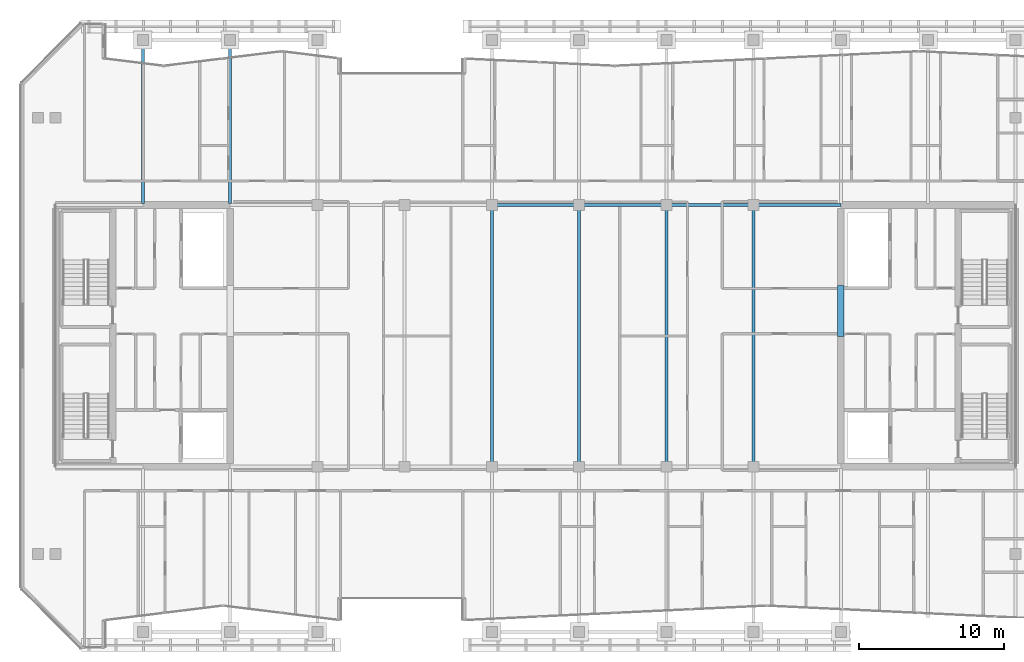
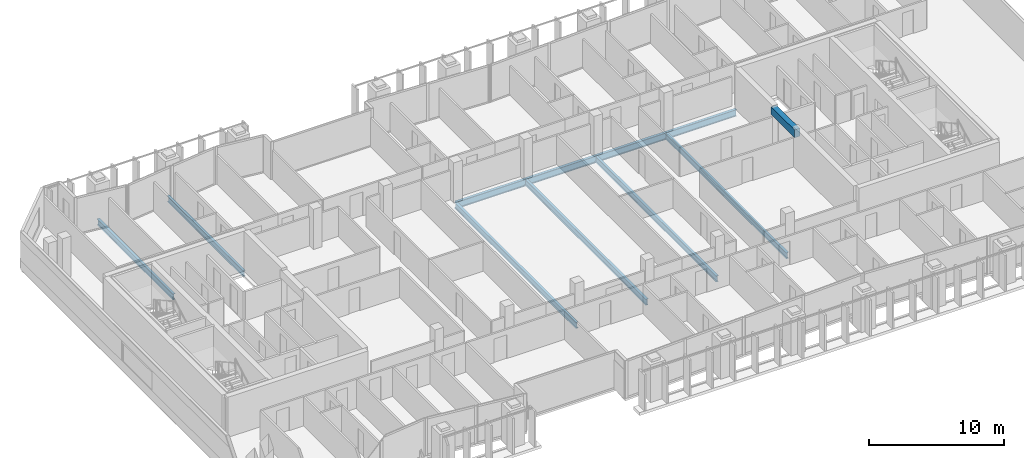
# One storey, part 10 of 32: 11 beams.
"""IFC4 building model written with IfcOpenShell, lengths in metres."""

from ifc_helpers import new_model, si_unit, direction, frame, origin, origin_2d, place, context, subcontext, project, spatial, rectangle, i_section, extrude, material, material_profile, profile_set, type_object, element, save


model = new_model("IFC4")

# Units and contexts
model_context = context("Model", 3, precision=1e-05, world=origin(), true_north=direction((0.0, 1.0)))
body_context = subcontext(model_context, "Body", "Model", "MODEL_VIEW")
ifc_project = project(units=[si_unit("LENGTHUNIT", "METRE"), si_unit("AREAUNIT", "SQUARE_METRE"), si_unit("VOLUMEUNIT", "CUBIC_METRE"), si_unit("PLANEANGLEUNIT", "RADIAN"), si_unit("MASSUNIT", "GRAM", prefix="KILO")], contexts=[model_context])

# Site, building, storey
site_placement = place(None, origin())
site = spatial("IfcSite", under=ifc_project, at=site_placement, CompositionType="ELEMENT")
building_placement = place(site_placement, origin())
building = spatial("IfcBuilding", under=site, at=building_placement, Name="Tanjung Sevakor Pilgrim Tower", CompositionType="ELEMENT")
storey_placement = place(building_placement, frame((0.0, 0.0, 211.860107421875)))
storey = spatial("IfcBuildingStorey", under=building, at=storey_placement, Name="L59", CompositionType="ELEMENT", Elevation=211.860107421875)

# Beams
ifc_material_1 = material(Name="Steel S355J2", Category="steel")
ifc_material_profile_1 = material_profile(ifc_material_1, i_section(OverallWidth=0.22900390625, OverallDepth=0.6123046875, WebThickness=0.011962890625, FlangeThickness=0.01953125, FilletRadius=0.0126953125, at=origin_2d()))
ifc_profile_set_1 = profile_set([ifc_material_profile_1], Name="Steel S355J2")
beam_type_1 = type_object("IfcBeamType", Name="BM-B-G4-UB_610x229x125", PredefinedType="BEAM", material=ifc_profile_set_1)
for number, where, z_axis, x_axis, name in (
    (1, (54.0, 42.60009765625, -0.526123046875), (1.0, 0.0, 0.0), (0.0, 1.0, 0.0), "L59 Primary Floor Girder MAIN Y426-05"),
    (2, (60.0, 42.60009765625, -0.526123046875), (1.0, 0.0, 0.0), (0.0, 1.0, 0.0), "L59 Primary Floor Girder MAIN Y426-06"),
    (3, (66.0, 42.60009765625, -0.526123046875), (1.0, 0.0, 0.0), (0.0, 1.0, 0.0), "L59 Primary Floor Girder MAIN Y426-07"),
    (4, (72.0, 42.60009765625, -0.526123046875), (1.0, 0.0, 0.0), (0.0, 1.0, 0.0), "L59 Primary Floor Girder MAIN Y426-08"),
):
    element("IfcBeam", number, at=place(storey_placement, frame(where, z_axis=z_axis, x_axis=x_axis)), inside=storey, type_object=beam_type_1, Name=name, PredefinedType="BEAM", context=body_context, shape_type="SweptSolid", body=[
        extrude(i_section(OverallWidth=0.22900390625, OverallDepth=0.6123046875, WebThickness=0.011962890625, FlangeThickness=0.01953125, FilletRadius=0.0126953125, at=origin_2d()), origin(), (0.0, 0.0, 1.0), 6.0),
    ])
ifc_material_2 = material(Name="Steel S355J2", Category="steel")
ifc_material_profile_2 = material_profile(ifc_material_2, i_section(OverallWidth=0.2119140625, OverallDepth=0.54443359375, WebThickness=0.0126953125, FlangeThickness=0.021240234375, FilletRadius=0.0126953125, at=origin_2d()))
ifc_profile_set_2 = profile_set([ifc_material_profile_2], Name="Steel S355J2")
beam_type_2 = type_object("IfcBeamType", Name="BM-B-G5-UB_533x210x122", PredefinedType="BEAM", material=ifc_profile_set_2)
for number, where, z_axis, x_axis, name in (
    (5, (30.0, 42.714599609375, -0.492431640625), (0.0, 1.0, 0.0), (-1.0, 0.0, 0.0), "L59 MAIN Girder 002"),
    (6, (36.0, 42.714599609375, -0.492431640625), (0.0, 1.0, 0.0), (-1.0, 0.0, 0.0), "L59 MAIN Girder 004"),
):
    element("IfcBeam", number, at=place(storey_placement, frame(where, z_axis=z_axis, x_axis=x_axis)), inside=storey, type_object=beam_type_2, Name=name, PredefinedType="BEAM", context=body_context, shape_type="SweptSolid", body=[
        extrude(i_section(OverallWidth=0.2119140625, OverallDepth=0.54443359375, WebThickness=0.0126953125, FlangeThickness=0.021240234375, FilletRadius=0.0126953125, at=origin_2d()), origin(), (0.0, 0.0, 1.0), 11.2353515625),
    ])
for number, where, z_axis, x_axis, name in (
    (7, (54.0, 24.60009765625, -0.492431640625), (0.0, 1.0, 0.0), (-1.0, 0.0, 0.0), "L59 MAIN Girder 010"),
    (8, (60.0, 24.60009765625, -0.492431640625), (0.0, 1.0, 0.0), (-1.0, 0.0, 0.0), "L59 MAIN Girder 013"),
    (9, (66.0, 24.60009765625, -0.492431640625), (0.0, 1.0, 0.0), (-1.0, 0.0, 0.0), "L59 MAIN Girder 016"),
    (10, (72.0, 24.60009765625, -0.492431640625), (0.0, 1.0, 0.0), (-1.0, 0.0, 0.0), "L59 MAIN Girder 019"),
):
    element("IfcBeam", number, at=place(storey_placement, frame(where, z_axis=z_axis, x_axis=x_axis)), inside=storey, type_object=beam_type_2, Name=name, PredefinedType="BEAM", context=body_context, shape_type="SweptSolid", body=[
        extrude(i_section(OverallWidth=0.2119140625, OverallDepth=0.54443359375, WebThickness=0.0126953125, FlangeThickness=0.021240234375, FilletRadius=0.0126953125, at=origin_2d()), origin(), (0.0, 0.0, 1.0), 18.0),
    ])
ifc_material_3 = material(Name="Concrete C60/75", Category="concrete")
ifc_material_profile_3 = material_profile(ifc_material_3, rectangle(XDim=0.449951171875, YDim=0.699951171875, at=origin_2d()))
ifc_profile_set_3 = profile_set([ifc_material_profile_3], Name="Concrete C60/75")
beam_type_3 = type_object("IfcBeamType", Name="BM-B-LN3-RC-BM_450x700", PredefinedType="LINTEL", material=ifc_profile_set_3)
beam_placement = place(storey_placement, frame((78.0, 33.550048828125, 3.059814453125), z_axis=(0.0, 1.0, 0.0), x_axis=(-1.0, 0.0, 0.0)))
element("IfcBeam", 11, at=beam_placement, inside=storey, type_object=beam_type_3, Name="L59 E Core Coupling Lintel", PredefinedType="LINTEL", context=body_context, shape_type="SweptSolid", body=[
    extrude(rectangle(XDim=0.449951171875, YDim=0.699951171875, at=origin_2d()), origin(), (0.0, 0.0, 1.0), 3.5),
])

save(model, "model.ifc")
